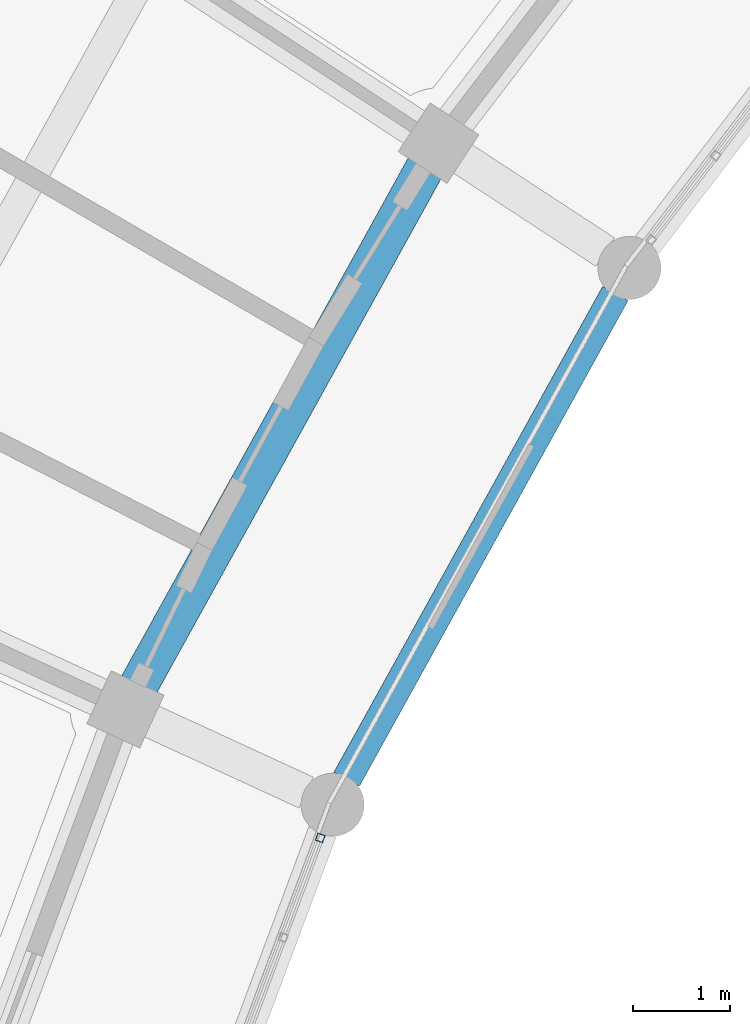
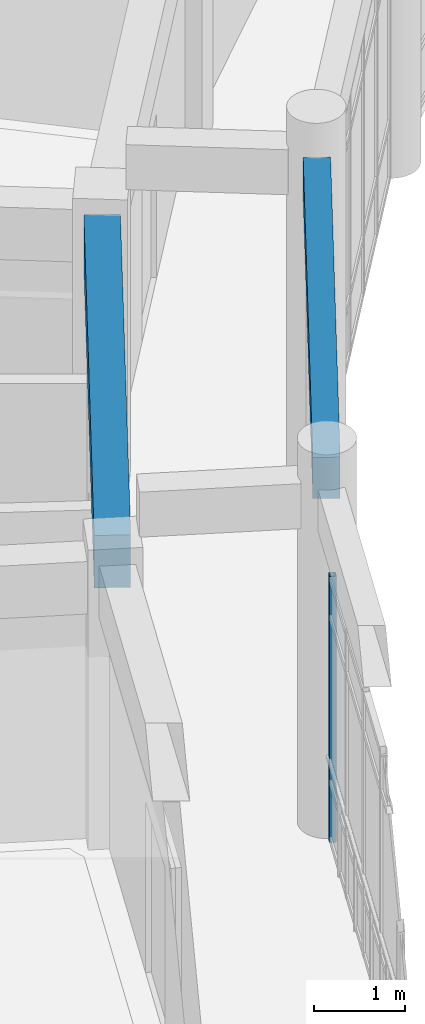
# One storey, part 62 of 159: 2 beams, 1 member, 1 element without a shape of its own.
"""IFC4 building model written with IfcOpenShell, lengths in metres."""

from ifc_helpers import new_model, si_unit, direction, frame, origin, origin_2d, place, context, subcontext, project, spatial, rectangle, hollow_rectangle, extrude, material, material_profile, profile_set, type_object, element, aggregate, save


model = new_model("IFC4")

# Units and contexts
model_context = context("Model", 3, precision=1e-05, world=origin(), true_north=direction((0.0, 1.0)))
body_context = subcontext(model_context, "Body", "Model", "MODEL_VIEW")
ifc_project = project(units=[si_unit("LENGTHUNIT", "METRE"), si_unit("AREAUNIT", "SQUARE_METRE"), si_unit("VOLUMEUNIT", "CUBIC_METRE"), si_unit("PLANEANGLEUNIT", "RADIAN"), si_unit("MASSUNIT", "GRAM", prefix="KILO")], contexts=[model_context])

# Site, building, storey
site_placement = place(None, origin())
site = spatial("IfcSite", under=ifc_project, at=site_placement, CompositionType="ELEMENT")
building_placement = place(site_placement, origin())
building = spatial("IfcBuilding", under=site, at=building_placement, Name="Celadon Cloister-Ring School", CompositionType="ELEMENT")
storey_placement = place(building_placement, frame((0.0, 0.0, 4.5)))
storey = spatial("IfcBuildingStorey", under=building, at=storey_placement, Name="L01", CompositionType="ELEMENT", Elevation=4.5)

# Curtain wall, member
ifc_material_1 = material(Name="Aluminium EN AW-6063 T6", Category="aluminium")
curtain_wall_type = type_object("IfcCurtainWallType", Name="CW-01", PredefinedType="USERDEFINED", material=ifc_material_1)
curtain_wall_placement = place(storey_placement, origin())
curtain_wall = element("IfcCurtainWall", 1, at=curtain_wall_placement, inside=storey, type_object=curtain_wall_type, Name="Curtain Wall 0023", ObjectType="CURTAIN WALL", PredefinedType="USERDEFINED")
ifc_material_2 = material(Name="Aluminium EN AW-6063 T6", Category="aluminium")
ifc_material_profile_1 = material_profile(ifc_material_2, hollow_rectangle(XDim=0.080078125, YDim=0.080078125, WallThickness=0.00390625, at=origin_2d()), Name="RHS80X80X4")
ifc_profile_set_1 = profile_set([ifc_material_profile_1], Name="Aluminium EN AW-6063 T6")
member_type = type_object("IfcMemberType", Name="CM-03", PredefinedType="MULLION", material=ifc_profile_set_1)
member_placement = place(storey_placement, frame((48.123046875, 76.4775390625, 0.0), z_axis=(0.0, 0.0, 1.0), x_axis=(0.937023262671, -0.349266954081, 0.0)))
member = element("IfcMember", 2, at=member_placement, type_object=member_type, Name="CW-01 mullion 1", PredefinedType="MULLION", context=body_context, shape_type="SweptSolid", body=[
    extrude(hollow_rectangle(XDim=0.080078125, YDim=0.080078125, WallThickness=0.00390625, at=origin_2d()), origin(), (0.0, 0.0, 1.0), 3.550048828125),
])
aggregate(curtain_wall, [member])

# Beams
ifc_material_3 = material(Name="Concrete C35/45", Category="concrete")
ifc_material_profile_2 = material_profile(ifc_material_3, rectangle(XDim=0.39990234375, YDim=0.699951171875, at=origin_2d()), Name="RC400X700")
ifc_profile_set_2 = profile_set([ifc_material_profile_2], Name="Concrete C35/45")
beam_type_1 = type_object("IfcBeamType", Name="GT-03", PredefinedType="USERDEFINED", material=ifc_profile_set_2)
beam_1_placement = place(storey_placement, frame((49.208984375, 83.39404296875, 3.429931640625), z_axis=(-0.483967737304, -0.875085841074, 0.0), x_axis=(0.875085841074, -0.483967737304, 0.0)))
element("IfcBeam", 3, at=beam_1_placement, inside=storey, type_object=beam_type_1, Name="Beam 0280", ObjectType="GIRDER", PredefinedType="USERDEFINED", context=body_context, shape_type="SweptSolid", body=[
    extrude(rectangle(XDim=0.39990234375, YDim=0.699951171875, at=origin_2d()), origin(), (0.0, 0.0, 1.0), 6.115966796875),
])
ifc_material_4 = material(Name="Concrete C35/45", Category="concrete")
ifc_material_profile_3 = material_profile(ifc_material_4, rectangle(XDim=0.300048828125, YDim=0.550048828125, at=origin_2d()), Name="RC300X550")
ifc_profile_set_3 = profile_set([ifc_material_profile_3], Name="Concrete C35/45")
beam_type_2 = type_object("IfcBeamType", Name="SP-02", PredefinedType="SPANDREL", material=ifc_profile_set_3)
beam_2_placement = place(storey_placement, frame((51.1640625, 82.0859375, 4.375), z_axis=(-0.484054429949, -0.875037889949, 0.0), x_axis=(0.875037889949, -0.484054429949, 0.0)))
element("IfcBeam", 4, at=beam_2_placement, inside=storey, type_object=beam_type_2, Name="Beam 0281", PredefinedType="SPANDREL", context=body_context, shape_type="SweptSolid", body=[
    extrude(rectangle(XDim=0.300048828125, YDim=0.550048828125, at=origin_2d()), origin(), (0.0, 0.0, 1.0), 5.718505859375),
])

save(model, "model.ifc")
